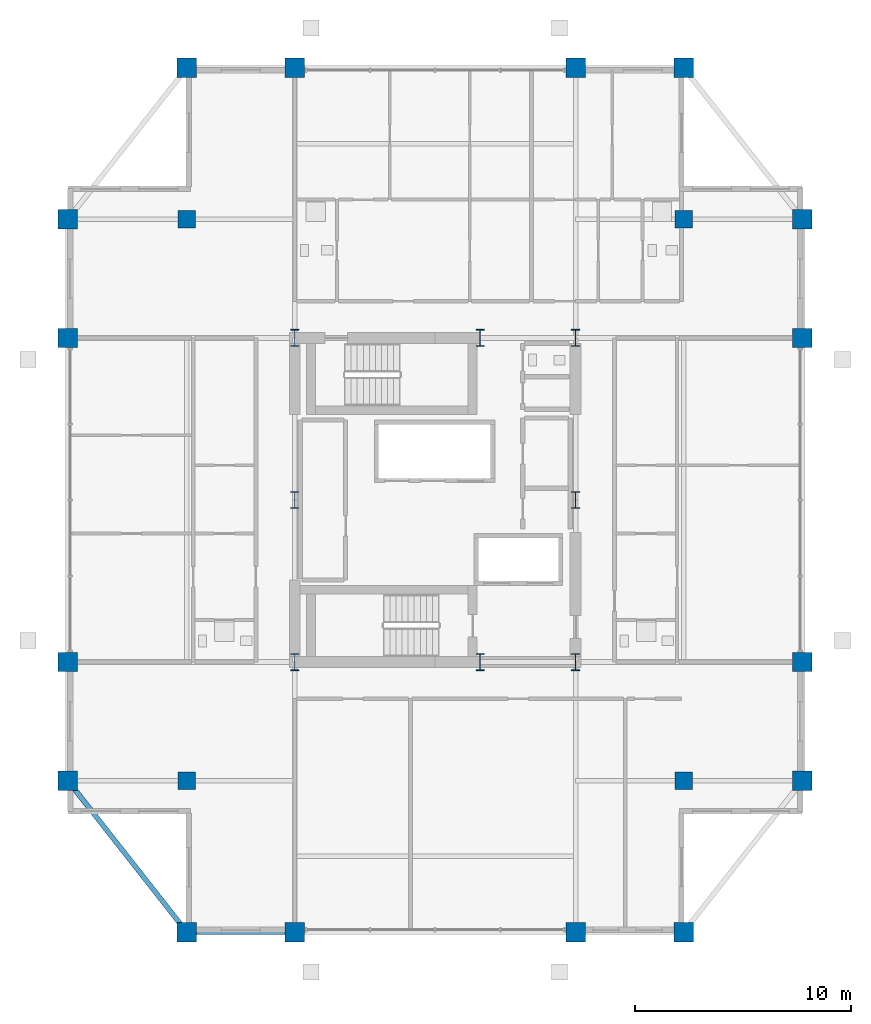
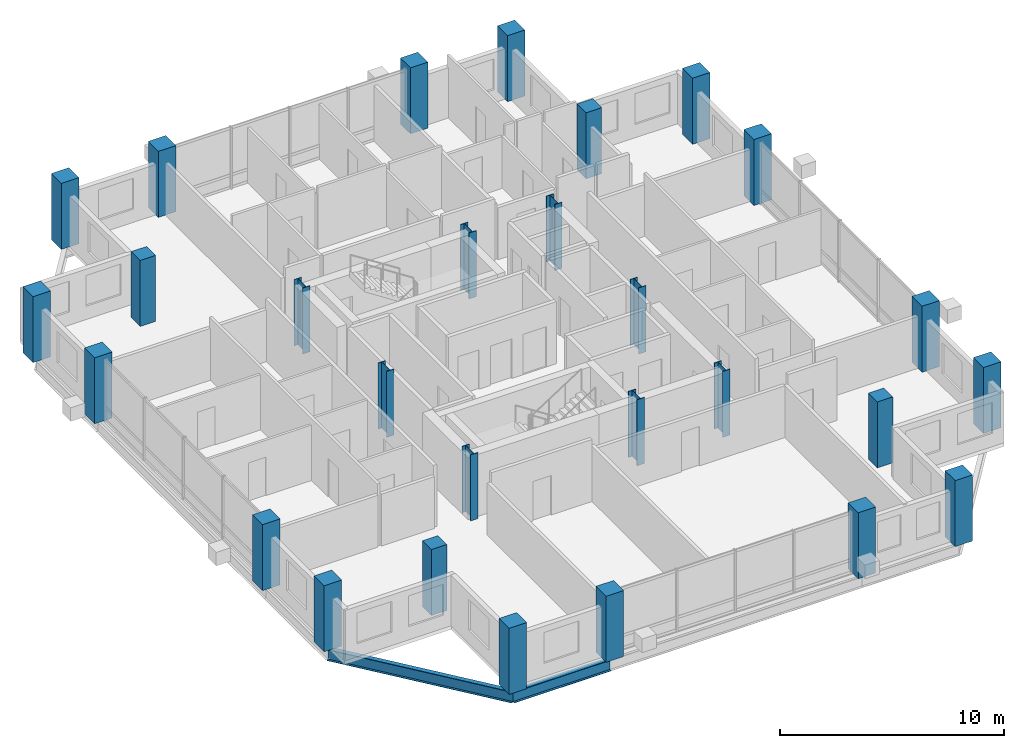
# One storey, part 1 of 21: 28 columns, 2 beams.
"""IFC4 building model written with IfcOpenShell, lengths in metres."""

from ifc_helpers import new_model, si_unit, direction, frame, origin, origin_2d, place, context, subcontext, project, spatial, rectangle, i_section, extrude, material, material_profile, profile_set, type_object, element, save


model = new_model("IFC4")

# Units and contexts
model_context = context("Model", 3, precision=1e-05, world=origin(), true_north=direction((0.0, 1.0)))
body_context = subcontext(model_context, "Body", "Model", "MODEL_VIEW")
ifc_project = project(units=[si_unit("LENGTHUNIT", "METRE"), si_unit("AREAUNIT", "SQUARE_METRE"), si_unit("VOLUMEUNIT", "CUBIC_METRE"), si_unit("PLANEANGLEUNIT", "RADIAN"), si_unit("MASSUNIT", "GRAM", prefix="KILO")], contexts=[model_context])

# Site, building, storey
site_placement = place(None, origin())
site = spatial("IfcSite", under=ifc_project, at=site_placement, CompositionType="ELEMENT")
building_placement = place(site_placement, origin())
building = spatial("IfcBuilding", under=site, at=building_placement, Name="Barlavira Tower and Art Museum", CompositionType="ELEMENT")
storey_placement = place(building_placement, frame((0.0, 0.0, 254.699951171875)))
storey = spatial("IfcBuildingStorey", under=building, at=storey_placement, Name="L66", CompositionType="ELEMENT", Elevation=254.699951171875)

# Columns
ifc_material_1 = material(Name="Steel S355", Category="steel")
ifc_material_profile_1 = material_profile(ifc_material_1, i_section(OverallWidth=0.382080078125, OverallDepth=0.785888671875, WebThickness=0.02001953125, FlangeThickness=0.032958984375, at=origin_2d()), Name="W760x314.0")
ifc_profile_set_1 = profile_set([ifc_material_profile_1], Name="Steel S355")
column_type_1 = type_object("IfcColumnType", Name="Core Composite Column W760x314 Steel S355", PredefinedType="COLUMN", material=ifc_profile_set_1)
for number, where, z_axis, x_axis, name in (
    (1, (-6.5, -7.5, 0.0), (0.0, 0.0, 1.0), (1.0, 0.0, 0.0), "L66 Column CC-L66-C1"),
    (2, (2.080078125, -7.5, 0.0), (0.0, 0.0, 1.0), (1.0, 0.0, 0.0), "L66 Column CC-L66-C2"),
    (3, (6.5, -7.5, 0.0), (0.0, 0.0, 1.0), (1.0, 0.0, 0.0), "L66 Column CC-L66-C3"),
    (4, (-6.5, 0.0, 0.0), (0.0, 0.0, 1.0), (1.0, 0.0, 0.0), "L66 Column CC-L66-C4"),
    (5, (6.5, 0.0, 0.0), (0.0, 0.0, 1.0), (1.0, 0.0, 0.0), "L66 Column CC-L66-C5"),
    (6, (-6.5, 7.5, 0.0), (0.0, 0.0, 1.0), (1.0, 0.0, 0.0), "L66 Column CC-L66-C6"),
    (7, (2.080078125, 7.5, 0.0), (0.0, 0.0, 1.0), (1.0, 0.0, 0.0), "L66 Column CC-L66-C7"),
    (8, (6.5, 7.5, 0.0), (0.0, 0.0, 1.0), (1.0, 0.0, 0.0), "L66 Column CC-L66-C8"),
):
    element("IfcColumn", number, at=place(storey_placement, frame(where, z_axis=z_axis, x_axis=x_axis)), inside=storey, type_object=column_type_1, Name=name, PredefinedType="COLUMN", context=body_context, shape_type="SweptSolid", body=[
        extrude(i_section(OverallWidth=0.382080078125, OverallDepth=0.785888671875, WebThickness=0.02001953125, FlangeThickness=0.032958984375, at=origin_2d()), origin(), (0.0, 0.0, 1.0), 3.60009765625),
    ])
ifc_material_2 = material(Name="Concrete C50", Category="concrete")
ifc_material_profile_2 = material_profile(ifc_material_2, rectangle(XDim=0.89990234375, YDim=0.89990234375, at=origin_2d()), Name="RC-COL 900x900")
ifc_profile_set_2 = profile_set([ifc_material_profile_2], Name="Concrete C50")
column_type_2 = type_object("IfcColumnType", Name="Perimeter Mega Column 900x900 Concrete C50", PredefinedType="USERDEFINED", material=ifc_profile_set_2)
for number, where, z_axis, x_axis, name in (
    (9, (-11.5, -20.0, 0.0), (0.0, 0.0, 1.0), (1.0, 0.0, 0.0), "L66 Column MC-L66-M01"),
    (10, (-6.5, -20.0, 0.0), (0.0, 0.0, 1.0), (1.0, 0.0, 0.0), "L66 Column MC-L66-M02"),
    (11, (6.5, -20.0, 0.0), (0.0, 0.0, 1.0), (1.0, 0.0, 0.0), "L66 Column MC-L66-M03"),
    (12, (11.5, -20.0, 0.0), (0.0, 0.0, 1.0), (1.0, 0.0, 0.0), "L66 Column MC-L66-M04"),
    (13, (17.0, -13.0, 0.0), (0.0, 0.0, 1.0), (1.0, 0.0, 0.0), "L66 Column MC-L66-M05"),
    (14, (17.0, -7.5, 0.0), (0.0, 0.0, 1.0), (1.0, 0.0, 0.0), "L66 Column MC-L66-M06"),
    (15, (17.0, 7.5, 0.0), (0.0, 0.0, 1.0), (1.0, 0.0, 0.0), "L66 Column MC-L66-M07"),
    (16, (17.0, 13.0, 0.0), (0.0, 0.0, 1.0), (1.0, 0.0, 0.0), "L66 Column MC-L66-M08"),
    (17, (11.5, 20.0, 0.0), (0.0, 0.0, 1.0), (1.0, 0.0, 0.0), "L66 Column MC-L66-M09"),
    (18, (6.5, 20.0, 0.0), (0.0, 0.0, 1.0), (1.0, 0.0, 0.0), "L66 Column MC-L66-M10"),
    (19, (-6.5, 20.0, 0.0), (0.0, 0.0, 1.0), (1.0, 0.0, 0.0), "L66 Column MC-L66-M11"),
    (20, (-11.5, 20.0, 0.0), (0.0, 0.0, 1.0), (1.0, 0.0, 0.0), "L66 Column MC-L66-M12"),
    (21, (-17.0, 13.0, 0.0), (0.0, 0.0, 1.0), (1.0, 0.0, 0.0), "L66 Column MC-L66-M13"),
    (22, (-17.0, 7.5, 0.0), (0.0, 0.0, 1.0), (1.0, 0.0, 0.0), "L66 Column MC-L66-M14"),
    (23, (-17.0, -7.5, 0.0), (0.0, 0.0, 1.0), (1.0, 0.0, 0.0), "L66 Column MC-L66-M15"),
    (24, (-17.0, -13.0, 0.0), (0.0, 0.0, 1.0), (1.0, 0.0, 0.0), "L66 Column MC-L66-M16"),
):
    element("IfcColumn", number, at=place(storey_placement, frame(where, z_axis=z_axis, x_axis=x_axis)), inside=storey, type_object=column_type_2, Name=name, ObjectType="MEGA COLUMN", PredefinedType="USERDEFINED", context=body_context, shape_type="SweptSolid", body=[
        extrude(rectangle(XDim=0.89990234375, YDim=0.89990234375, at=origin_2d()), origin(), (0.0, 0.0, 1.0), 3.60009765625),
    ])
ifc_material_profile_3 = material_profile(ifc_material_2, rectangle(XDim=0.800048828125, YDim=0.800048828125, at=origin_2d()), Name="RC-COL 800x800")
ifc_profile_set_3 = profile_set([ifc_material_profile_3], Name="Concrete C50")
column_type_3 = type_object("IfcColumnType", Name="Podium Frame Column 800x800 Concrete C50", PredefinedType="COLUMN", material=ifc_profile_set_3)
for number, where, z_axis, x_axis, name in (
    (25, (-11.5, -13.0, 0.0), (0.0, 0.0, 1.0), (1.0, 0.0, 0.0), "L66 Column CI-L66-I1"),
    (26, (11.5, -13.0, 0.0), (0.0, 0.0, 1.0), (1.0, 0.0, 0.0), "L66 Column CI-L66-I2"),
    (27, (-11.5, 13.0, 0.0), (0.0, 0.0, 1.0), (1.0, 0.0, 0.0), "L66 Column CI-L66-I3"),
    (28, (11.5, 13.0, 0.0), (0.0, 0.0, 1.0), (1.0, 0.0, 0.0), "L66 Column CI-L66-I4"),
):
    element("IfcColumn", number, at=place(storey_placement, frame(where, z_axis=z_axis, x_axis=x_axis)), inside=storey, type_object=column_type_3, Name=name, PredefinedType="COLUMN", context=body_context, shape_type="SweptSolid", body=[
        extrude(rectangle(XDim=0.800048828125, YDim=0.800048828125, at=origin_2d()), origin(), (0.0, 0.0, 1.0), 3.60009765625),
    ])

# Beams
ifc_material_profile_4 = material_profile(ifc_material_1, i_section(OverallWidth=0.22998046875, OverallDepth=0.616943359375, WebThickness=0.01318359375, FlangeThickness=0.022216796875, at=origin_2d()), Name="W610x140.0")
ifc_profile_set_4 = profile_set([ifc_material_profile_4], Name="Steel S355")
beam_type = type_object("IfcBeamType", Name="Upper Shaft Spandrel Edge Beam W610x140 Steel S355", PredefinedType="SPANDREL", material=ifc_profile_set_4)
beam_1_placement = place(storey_placement, frame((-11.5, -20.0, -0.528564453125), z_axis=(1.0, 0.0, 0.0), x_axis=(0.0, 1.0, 0.0)))
element("IfcBeam", 29, at=beam_1_placement, inside=storey, type_object=beam_type, Name="L66 Spandrel 1", PredefinedType="SPANDREL", context=body_context, shape_type="SweptSolid", body=[
    extrude(i_section(OverallWidth=0.22998046875, OverallDepth=0.616943359375, WebThickness=0.01318359375, FlangeThickness=0.022216796875, at=origin_2d()), origin(), (0.0, 0.0, 1.0), 5.0),
])
beam_2_placement = place(storey_placement, frame((-17.0, -13.0, -0.528564453125), z_axis=(0.617821551932, -0.786318338822, 0.0), x_axis=(0.786318338822, 0.617821551932, 0.0)))
element("IfcBeam", 30, at=beam_2_placement, inside=storey, type_object=beam_type, Name="L66 Spandrel 16", PredefinedType="SPANDREL", context=body_context, shape_type="SweptSolid", body=[
    extrude(i_section(OverallWidth=0.22998046875, OverallDepth=0.616943359375, WebThickness=0.01318359375, FlangeThickness=0.022216796875, at=origin_2d()), origin(), (0.0, 0.0, 1.0), 8.90234375),
])

save(model, "model.ifc")
